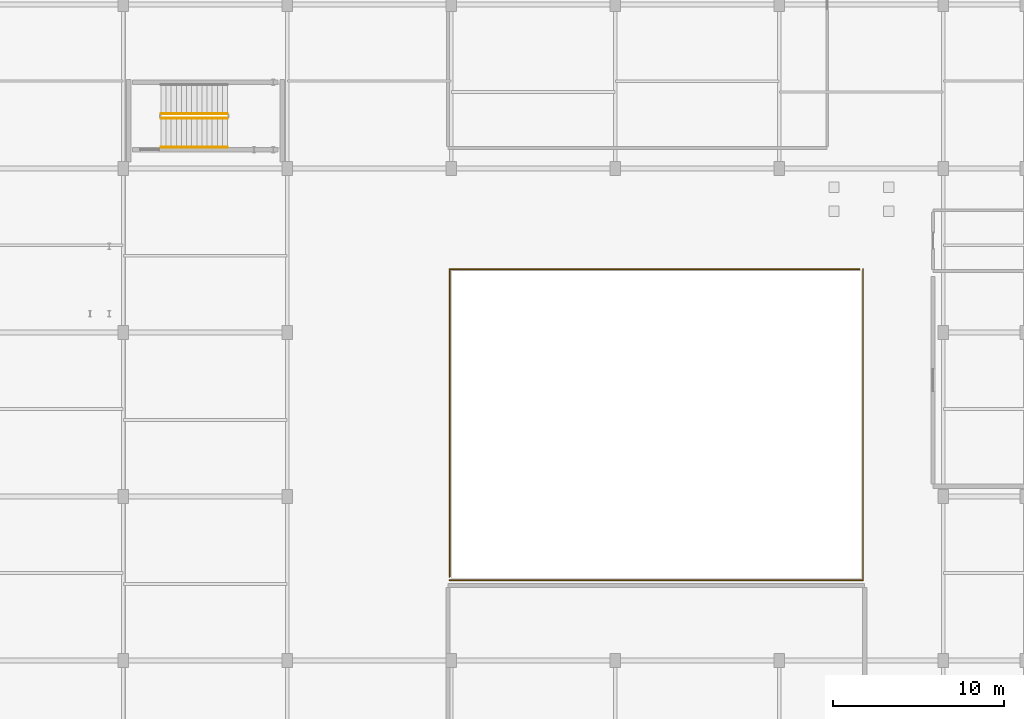
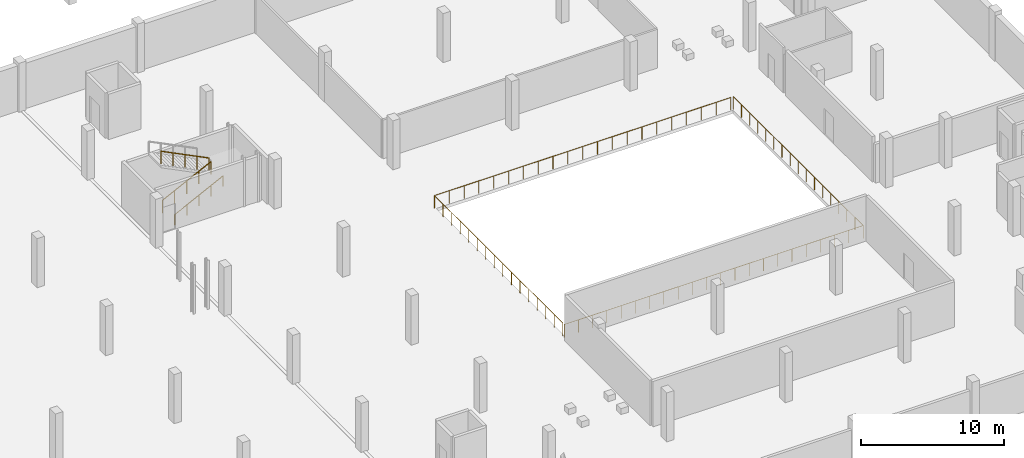
# One storey, part 44 of 47: 5 railings.
"""IFC4 building model written with IfcOpenShell, lengths in metres."""

from ifc_helpers import new_model, si_unit, direction, frame, origin, origin_2d, place, context, subcontext, project, spatial, circle, extrude, material, type_object, element, save


model = new_model("IFC4")

# Units and contexts
model_context = context("Model", 3, precision=1e-05, world=origin(), true_north=direction((0.0, 1.0)))
body_context = subcontext(model_context, "Body", "Model", "MODEL_VIEW")
ifc_project = project(units=[si_unit("LENGTHUNIT", "METRE"), si_unit("AREAUNIT", "SQUARE_METRE"), si_unit("VOLUMEUNIT", "CUBIC_METRE"), si_unit("PLANEANGLEUNIT", "RADIAN"), si_unit("MASSUNIT", "GRAM", prefix="KILO")], contexts=[model_context])

# Site, building, storey
site_placement = place(None, origin())
site = spatial("IfcSite", under=ifc_project, at=site_placement, CompositionType="ELEMENT")
building_placement = place(site_placement, origin())
building = spatial("IfcBuilding", under=site, at=building_placement, Name="Zevrakil Square Congress Hotel", CompositionType="ELEMENT")
storey_placement = place(building_placement, frame((0.0, 0.0, -4.199951171875)))
storey = spatial("IfcBuildingStorey", under=building, at=storey_placement, Name="B1", CompositionType="ELEMENT", Elevation=-4.199951171875)

# Railings
ifc_material_1 = material(Name="Steel S355", Category="steel")
railing_type_1 = type_object("IfcRailingType", Name="RLG-STAIR-GUARD-1100", PredefinedType="BALUSTRADE", material=ifc_material_1)
railing_1_placement = place(storey_placement, frame((57.39990234375, 86.949951171875, 0.14990234375)))
element("IfcRailing", 1, at=railing_1_placement, inside=storey, type_object=railing_type_1, Name="B1 ST05 stair guard 1", PredefinedType="BALUSTRADE", context=body_context, shape_type="SweptSolid", body=[
    extrude(circle(Radius=0.02392578125, at=origin_2d()), frame((0.0, 0.0, 1.076171875), z_axis=(0.894438388696, 0.0, 0.447191199406), x_axis=(0.0, 1.0, 0.0)), (0.0, 0.0, 1.0), 4.3603515625),
    extrude(circle(Radius=0.02099609375, at=origin_2d()), origin(), (0.0, 0.0, 1.0), 1.052001953125),
    extrude(circle(Radius=0.02099609375, at=origin_2d()), frame((0.97509765625, 0.0, 0.487548828125)), (0.0, 0.0, 1.0), 1.052001953125),
    extrude(circle(Radius=0.02099609375, at=origin_2d()), frame((1.9501953125, 0.0, 0.97509765625)), (0.0, 0.0, 1.0), 1.052001953125),
    extrude(circle(Radius=0.02099609375, at=origin_2d()), frame((2.925048828125, 0.0, 1.46240234375)), (0.0, 0.0, 1.0), 1.052001953125),
    extrude(circle(Radius=0.02099609375, at=origin_2d()), frame((3.900146484375, 0.0, 1.949951171875)), (0.0, 0.0, 1.0), 1.052001953125),
])
railing_2_placement = place(storey_placement, frame((61.300048828125, 87.199951171875, 2.25)))
element("IfcRailing", 2, at=railing_2_placement, inside=storey, type_object=railing_type_1, Name="B1 ST05 stair guard 3", PredefinedType="BALUSTRADE", context=body_context, shape_type="SweptSolid", body=[
    extrude(circle(Radius=0.02392578125, at=origin_2d()), frame((0.0, 0.0, 1.076171875), z_axis=(-0.894438388696, 0.0, 0.447191199406), x_axis=(0.0, -1.0, 0.0)), (0.0, 0.0, 1.0), 4.3603515625),
    extrude(circle(Radius=0.02099609375, at=origin_2d()), origin(), (0.0, 0.0, 1.0), 1.052001953125),
    extrude(circle(Radius=0.02099609375, at=origin_2d()), frame((-0.97509765625, 0.0, 0.487548828125)), (0.0, 0.0, 1.0), 1.052001953125),
    extrude(circle(Radius=0.02099609375, at=origin_2d()), frame((-1.9501953125, 0.0, 0.97509765625)), (0.0, 0.0, 1.0), 1.052001953125),
    extrude(circle(Radius=0.02099609375, at=origin_2d()), frame((-2.925048828125, 0.0, 1.46240234375)), (0.0, 0.0, 1.0), 1.052001953125),
    extrude(circle(Radius=0.02099609375, at=origin_2d()), frame((-3.900146484375, 0.0, 1.949951171875)), (0.0, 0.0, 1.0), 1.052001953125),
])
ifc_material_2 = material(Name="Steel S355", Category="steel")
railing_type_2 = type_object("IfcRailingType", Name="RLG-STAIR-HAND-900", PredefinedType="HANDRAIL", material=ifc_material_2)
railing_3_placement = place(storey_placement, frame((57.39990234375, 85.25, 0.14990234375)))
element("IfcRailing", 3, at=railing_3_placement, inside=storey, type_object=railing_type_2, Name="B1 ST05 stair handrail 1", PredefinedType="HANDRAIL", context=body_context, shape_type="SweptSolid", body=[
    extrude(circle(Radius=0.02392578125, at=origin_2d()), frame((0.0, 0.0, 0.8759765625), z_axis=(0.894438388696, 0.0, 0.447191199406), x_axis=(0.0, 1.0, 0.0)), (0.0, 0.0, 1.0), 4.3603515625),
    extrude(circle(Radius=0.02099609375, at=origin_2d()), origin(), (0.0, 0.0, 1.0), 0.851806640625),
    extrude(circle(Radius=0.02099609375, at=origin_2d()), frame((0.97509765625, 0.0, 0.487548828125)), (0.0, 0.0, 1.0), 0.851806640625),
    extrude(circle(Radius=0.02099609375, at=origin_2d()), frame((1.9501953125, 0.0, 0.97509765625)), (0.0, 0.0, 1.0), 0.851806640625),
    extrude(circle(Radius=0.02099609375, at=origin_2d()), frame((2.925048828125, 0.0, 1.46240234375)), (0.0, 0.0, 1.0), 0.851806640625),
    extrude(circle(Radius=0.02099609375, at=origin_2d()), frame((3.900146484375, 0.0, 1.949951171875)), (0.0, 0.0, 1.0), 0.851806640625),
])
ifc_material_3 = material(Name="Steel S355", Category="steel")
railing_type_3 = type_object("IfcRailingType", Name="RLG-TERR-1100", PredefinedType="BALUSTRADE", material=ifc_material_3)
railing_4_placement = place(storey_placement, frame((74.300048828125, 59.89990234375, 0.0)))
element("IfcRailing", 4, at=railing_4_placement, inside=storey, type_object=railing_type_3, Name="B1 terrace and void safety balustrade guard 11", PredefinedType="BALUSTRADE", context=body_context, shape_type="SweptSolid", body=[
    extrude(circle(Radius=0.02392578125, at=origin_2d()), frame((0.0, 0.0, 1.076171875), z_axis=(1.0, 0.0, 0.0), x_axis=(0.0, 1.0, 0.0)), (0.0, 0.0, 1.0), 24.199951171875),
    extrude(circle(Radius=0.02392578125, at=origin_2d()), frame((24.199951171875, 0.0, 1.076171875), z_axis=(0.0, 1.0, 0.0), x_axis=(-1.0, 0.0, 0.0)), (0.0, 0.0, 1.0), 18.2001953125),
    extrude(circle(Radius=0.02099609375, at=origin_2d()), origin(), (0.0, 0.0, 1.0), 1.052001953125),
    extrude(circle(Radius=0.02099609375, at=origin_2d()), frame((1.15234375, 0.0, 0.0)), (0.0, 0.0, 1.0), 1.052001953125),
    extrude(circle(Radius=0.02099609375, at=origin_2d()), frame((2.3046875, 0.0, 0.0)), (0.0, 0.0, 1.0), 1.052001953125),
    extrude(circle(Radius=0.02099609375, at=origin_2d()), frame((3.45703125, 0.0, 0.0)), (0.0, 0.0, 1.0), 1.052001953125),
    extrude(circle(Radius=0.02099609375, at=origin_2d()), frame((4.609619140625, 0.0, 0.0)), (0.0, 0.0, 1.0), 1.052001953125),
    extrude(circle(Radius=0.02099609375, at=origin_2d()), frame((5.761962890625, 0.0, 0.0)), (0.0, 0.0, 1.0), 1.052001953125),
    extrude(circle(Radius=0.02099609375, at=origin_2d()), frame((6.914306640625, 0.0, 0.0)), (0.0, 0.0, 1.0), 1.052001953125),
    extrude(circle(Radius=0.02099609375, at=origin_2d()), frame((8.066650390625, 0.0, 0.0)), (0.0, 0.0, 1.0), 1.052001953125),
    extrude(circle(Radius=0.02099609375, at=origin_2d()), frame((9.218994140625, 0.0, 0.0)), (0.0, 0.0, 1.0), 1.052001953125),
    extrude(circle(Radius=0.02099609375, at=origin_2d()), frame((10.371337890625, 0.0, 0.0)), (0.0, 0.0, 1.0), 1.052001953125),
    extrude(circle(Radius=0.02099609375, at=origin_2d()), frame((11.523681640625, 0.0, 0.0)), (0.0, 0.0, 1.0), 1.052001953125),
    extrude(circle(Radius=0.02099609375, at=origin_2d()), frame((12.67626953125, 0.0, 0.0)), (0.0, 0.0, 1.0), 1.052001953125),
    extrude(circle(Radius=0.02099609375, at=origin_2d()), frame((13.82861328125, 0.0, 0.0)), (0.0, 0.0, 1.0), 1.052001953125),
    extrude(circle(Radius=0.02099609375, at=origin_2d()), frame((14.98095703125, 0.0, 0.0)), (0.0, 0.0, 1.0), 1.052001953125),
    extrude(circle(Radius=0.02099609375, at=origin_2d()), frame((16.13330078125, 0.0, 0.0)), (0.0, 0.0, 1.0), 1.052001953125),
    extrude(circle(Radius=0.02099609375, at=origin_2d()), frame((17.28564453125, 0.0, 0.0)), (0.0, 0.0, 1.0), 1.052001953125),
    extrude(circle(Radius=0.02099609375, at=origin_2d()), frame((18.43798828125, 0.0, 0.0)), (0.0, 0.0, 1.0), 1.052001953125),
    extrude(circle(Radius=0.02099609375, at=origin_2d()), frame((19.59033203125, 0.0, 0.0)), (0.0, 0.0, 1.0), 1.052001953125),
    extrude(circle(Radius=0.02099609375, at=origin_2d()), frame((20.742919921875, 0.0, 0.0)), (0.0, 0.0, 1.0), 1.052001953125),
    extrude(circle(Radius=0.02099609375, at=origin_2d()), frame((21.895263671875, 0.0, 0.0)), (0.0, 0.0, 1.0), 1.052001953125),
    extrude(circle(Radius=0.02099609375, at=origin_2d()), frame((23.047607421875, 0.0, 0.0)), (0.0, 0.0, 1.0), 1.052001953125),
    extrude(circle(Radius=0.02099609375, at=origin_2d()), frame((24.199951171875, 0.0, 0.0)), (0.0, 0.0, 1.0), 1.052001953125),
    extrude(circle(Radius=0.02099609375, at=origin_2d()), frame((24.199951171875, 1.137451171875, 0.0)), (0.0, 0.0, 1.0), 1.052001953125),
    extrude(circle(Radius=0.02099609375, at=origin_2d()), frame((24.199951171875, 2.27490234375, 0.0)), (0.0, 0.0, 1.0), 1.052001953125),
    extrude(circle(Radius=0.02099609375, at=origin_2d()), frame((24.199951171875, 3.41259765625, 0.0)), (0.0, 0.0, 1.0), 1.052001953125),
    extrude(circle(Radius=0.02099609375, at=origin_2d()), frame((24.199951171875, 4.550048828125, 0.0)), (0.0, 0.0, 1.0), 1.052001953125),
    extrude(circle(Radius=0.02099609375, at=origin_2d()), frame((24.199951171875, 5.6875, 0.0)), (0.0, 0.0, 1.0), 1.052001953125),
    extrude(circle(Radius=0.02099609375, at=origin_2d()), frame((24.199951171875, 6.8251953125, 0.0)), (0.0, 0.0, 1.0), 1.052001953125),
    extrude(circle(Radius=0.02099609375, at=origin_2d()), frame((24.199951171875, 7.962646484375, 0.0)), (0.0, 0.0, 1.0), 1.052001953125),
    extrude(circle(Radius=0.02099609375, at=origin_2d()), frame((24.199951171875, 9.10009765625, 0.0)), (0.0, 0.0, 1.0), 1.052001953125),
    extrude(circle(Radius=0.02099609375, at=origin_2d()), frame((24.199951171875, 10.237548828125, 0.0)), (0.0, 0.0, 1.0), 1.052001953125),
    extrude(circle(Radius=0.02099609375, at=origin_2d()), frame((24.199951171875, 11.375, 0.0)), (0.0, 0.0, 1.0), 1.052001953125),
    extrude(circle(Radius=0.02099609375, at=origin_2d()), frame((24.199951171875, 12.5126953125, 0.0)), (0.0, 0.0, 1.0), 1.052001953125),
    extrude(circle(Radius=0.02099609375, at=origin_2d()), frame((24.199951171875, 13.650146484375, 0.0)), (0.0, 0.0, 1.0), 1.052001953125),
    extrude(circle(Radius=0.02099609375, at=origin_2d()), frame((24.199951171875, 14.78759765625, 0.0)), (0.0, 0.0, 1.0), 1.052001953125),
    extrude(circle(Radius=0.02099609375, at=origin_2d()), frame((24.199951171875, 15.92529296875, 0.0)), (0.0, 0.0, 1.0), 1.052001953125),
    extrude(circle(Radius=0.02099609375, at=origin_2d()), frame((24.199951171875, 17.062744140625, 0.0)), (0.0, 0.0, 1.0), 1.052001953125),
    extrude(circle(Radius=0.02099609375, at=origin_2d()), frame((24.199951171875, 18.2001953125, 0.0)), (0.0, 0.0, 1.0), 1.052001953125),
])
railing_5_placement = place(storey_placement, frame((98.300048828125, 78.10009765625, 0.0)))
element("IfcRailing", 5, at=railing_5_placement, inside=storey, type_object=railing_type_3, Name="B1 terrace and void safety balustrade guard 12", PredefinedType="BALUSTRADE", context=body_context, shape_type="SweptSolid", body=[
    extrude(circle(Radius=0.02392578125, at=origin_2d()), frame((0.0, 0.0, 1.076171875), z_axis=(-1.0, 0.0, 0.0), x_axis=(0.0, -1.0, 0.0)), (0.0, 0.0, 1.0), 24.0),
    extrude(circle(Radius=0.02392578125, at=origin_2d()), frame((-24.0, 0.0, 1.076171875), z_axis=(0.0, -1.0, 0.0), x_axis=(1.0, 0.0, 0.0)), (0.0, 0.0, 1.0), 18.0),
    extrude(circle(Radius=0.02099609375, at=origin_2d()), origin(), (0.0, 0.0, 1.0), 1.052001953125),
    extrude(circle(Radius=0.02099609375, at=origin_2d()), frame((-1.199951171875, 0.0, 0.0)), (0.0, 0.0, 1.0), 1.052001953125),
    extrude(circle(Radius=0.02099609375, at=origin_2d()), frame((-2.39990234375, 0.0, 0.0)), (0.0, 0.0, 1.0), 1.052001953125),
    extrude(circle(Radius=0.02099609375, at=origin_2d()), frame((-3.60009765625, 0.0, 0.0)), (0.0, 0.0, 1.0), 1.052001953125),
    extrude(circle(Radius=0.02099609375, at=origin_2d()), frame((-4.800048828125, 0.0, 0.0)), (0.0, 0.0, 1.0), 1.052001953125),
    extrude(circle(Radius=0.02099609375, at=origin_2d()), frame((-6.0, 0.0, 0.0)), (0.0, 0.0, 1.0), 1.052001953125),
    extrude(circle(Radius=0.02099609375, at=origin_2d()), frame((-7.199951171875, 0.0, 0.0)), (0.0, 0.0, 1.0), 1.052001953125),
    extrude(circle(Radius=0.02099609375, at=origin_2d()), frame((-8.39990234375, 0.0, 0.0)), (0.0, 0.0, 1.0), 1.052001953125),
    extrude(circle(Radius=0.02099609375, at=origin_2d()), frame((-9.60009765625, 0.0, 0.0)), (0.0, 0.0, 1.0), 1.052001953125),
    extrude(circle(Radius=0.02099609375, at=origin_2d()), frame((-10.800048828125, 0.0, 0.0)), (0.0, 0.0, 1.0), 1.052001953125),
    extrude(circle(Radius=0.02099609375, at=origin_2d()), frame((-12.0, 0.0, 0.0)), (0.0, 0.0, 1.0), 1.052001953125),
    extrude(circle(Radius=0.02099609375, at=origin_2d()), frame((-13.199951171875, 0.0, 0.0)), (0.0, 0.0, 1.0), 1.052001953125),
    extrude(circle(Radius=0.02099609375, at=origin_2d()), frame((-14.39990234375, 0.0, 0.0)), (0.0, 0.0, 1.0), 1.052001953125),
    extrude(circle(Radius=0.02099609375, at=origin_2d()), frame((-15.60009765625, 0.0, 0.0)), (0.0, 0.0, 1.0), 1.052001953125),
    extrude(circle(Radius=0.02099609375, at=origin_2d()), frame((-16.800048828125, 0.0, 0.0)), (0.0, 0.0, 1.0), 1.052001953125),
    extrude(circle(Radius=0.02099609375, at=origin_2d()), frame((-18.0, 0.0, 0.0)), (0.0, 0.0, 1.0), 1.052001953125),
    extrude(circle(Radius=0.02099609375, at=origin_2d()), frame((-19.199951171875, 0.0, 0.0)), (0.0, 0.0, 1.0), 1.052001953125),
    extrude(circle(Radius=0.02099609375, at=origin_2d()), frame((-20.39990234375, 0.0, 0.0)), (0.0, 0.0, 1.0), 1.052001953125),
    extrude(circle(Radius=0.02099609375, at=origin_2d()), frame((-21.60009765625, 0.0, 0.0)), (0.0, 0.0, 1.0), 1.052001953125),
    extrude(circle(Radius=0.02099609375, at=origin_2d()), frame((-22.800048828125, 0.0, 0.0)), (0.0, 0.0, 1.0), 1.052001953125),
    extrude(circle(Radius=0.02099609375, at=origin_2d()), frame((-24.0, 0.0, 0.0)), (0.0, 0.0, 1.0), 1.052001953125),
    extrude(circle(Radius=0.02099609375, at=origin_2d()), frame((-24.0, -1.199951171875, 0.0)), (0.0, 0.0, 1.0), 1.052001953125),
    extrude(circle(Radius=0.02099609375, at=origin_2d()), frame((-24.0, -2.39990234375, 0.0)), (0.0, 0.0, 1.0), 1.052001953125),
    extrude(circle(Radius=0.02099609375, at=origin_2d()), frame((-24.0, -3.60009765625, 0.0)), (0.0, 0.0, 1.0), 1.052001953125),
    extrude(circle(Radius=0.02099609375, at=origin_2d()), frame((-24.0, -4.800048828125, 0.0)), (0.0, 0.0, 1.0), 1.052001953125),
    extrude(circle(Radius=0.02099609375, at=origin_2d()), frame((-24.0, -6.0, 0.0)), (0.0, 0.0, 1.0), 1.052001953125),
    extrude(circle(Radius=0.02099609375, at=origin_2d()), frame((-24.0, -7.199951171875, 0.0)), (0.0, 0.0, 1.0), 1.052001953125),
    extrude(circle(Radius=0.02099609375, at=origin_2d()), frame((-24.0, -8.39990234375, 0.0)), (0.0, 0.0, 1.0), 1.052001953125),
    extrude(circle(Radius=0.02099609375, at=origin_2d()), frame((-24.0, -9.60009765625, 0.0)), (0.0, 0.0, 1.0), 1.052001953125),
    extrude(circle(Radius=0.02099609375, at=origin_2d()), frame((-24.0, -10.800048828125, 0.0)), (0.0, 0.0, 1.0), 1.052001953125),
    extrude(circle(Radius=0.02099609375, at=origin_2d()), frame((-24.0, -12.0, 0.0)), (0.0, 0.0, 1.0), 1.052001953125),
    extrude(circle(Radius=0.02099609375, at=origin_2d()), frame((-24.0, -13.199951171875, 0.0)), (0.0, 0.0, 1.0), 1.052001953125),
    extrude(circle(Radius=0.02099609375, at=origin_2d()), frame((-24.0, -14.39990234375, 0.0)), (0.0, 0.0, 1.0), 1.052001953125),
    extrude(circle(Radius=0.02099609375, at=origin_2d()), frame((-24.0, -15.60009765625, 0.0)), (0.0, 0.0, 1.0), 1.052001953125),
    extrude(circle(Radius=0.02099609375, at=origin_2d()), frame((-24.0, -16.800048828125, 0.0)), (0.0, 0.0, 1.0), 1.052001953125),
    extrude(circle(Radius=0.02099609375, at=origin_2d()), frame((-24.0, -18.0, 0.0)), (0.0, 0.0, 1.0), 1.052001953125),
])

save(model, "model.ifc")
